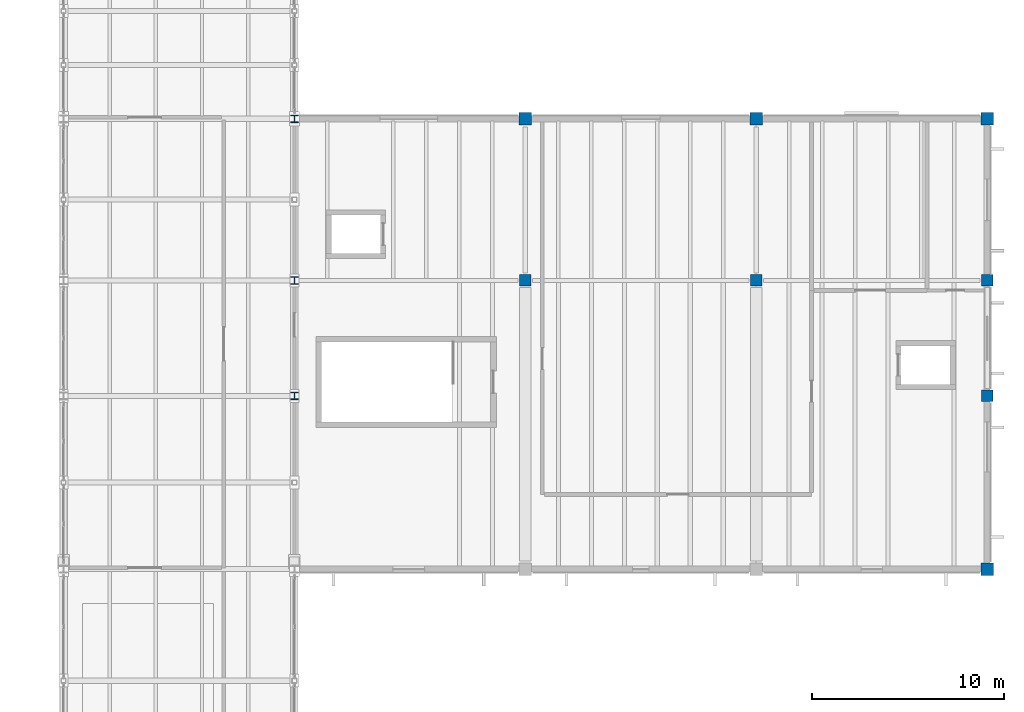
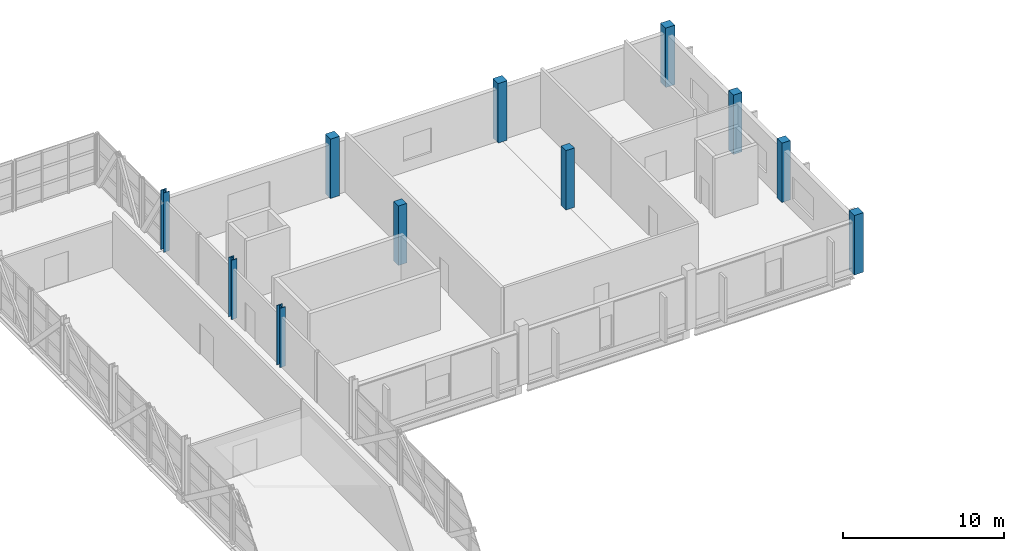
# One storey, part 5 of 63: 11 columns.
"""IFC4 building model written with IfcOpenShell, lengths in metres."""

from ifc_helpers import new_model, si_unit, direction, frame, origin, origin_2d, place, context, subcontext, project, spatial, rectangle, i_section, extrude, material, material_profile, profile_set, type_object, element, save


model = new_model("IFC4")

# Units and contexts
model_context = context("Model", 3, precision=1e-05, world=origin(), true_north=direction((0.0, 1.0)))
body_context = subcontext(model_context, "Body", "Model", "MODEL_VIEW")
ifc_project = project(units=[si_unit("LENGTHUNIT", "METRE"), si_unit("AREAUNIT", "SQUARE_METRE"), si_unit("VOLUMEUNIT", "CUBIC_METRE"), si_unit("PLANEANGLEUNIT", "RADIAN"), si_unit("MASSUNIT", "GRAM", prefix="KILO")], contexts=[model_context])

# Site, building, storey
site_placement = place(None, origin())
site = spatial("IfcSite", under=ifc_project, at=site_placement, CompositionType="ELEMENT")
building_placement = place(site_placement, origin())
building = spatial("IfcBuilding", under=site, at=building_placement, Name="Kelmvaro Bay Concert Hall", CompositionType="ELEMENT")
storey_placement = place(building_placement, frame((0.0, 0.0, 13.800048828125)))
storey = spatial("IfcBuildingStorey", under=building, at=storey_placement, Name="L03", CompositionType="ELEMENT", Elevation=13.800048828125)

# Columns
ifc_material_1 = material(Name="Steel ASTM A992 Grade 50", Category="steel")
ifc_material_profile_1 = material_profile(ifc_material_1, i_section(OverallWidth=0.40087890625, OverallDepth=0.39404296875, WebThickness=0.022705078125, FlangeThickness=0.03662109375, at=origin_2d()), Name="W14X193")
ifc_profile_set_1 = profile_set([ifc_material_profile_1], Name="Steel ASTM A992 Grade 50")
column_type_1 = type_object("IfcColumnType", Name="Bridge Support Column W14x193", PredefinedType="COLUMN", material=ifc_profile_set_1)
for number, where, z_axis, x_axis, name in (
    (1, (132.0, 82.800048828125, 0.0), (0.0, 0.0, 1.0), (1.0, 0.0, 0.0), "L03 Column V2B-132-828"),
    (2, (132.0, 88.800048828125, 0.0), (0.0, 0.0, 1.0), (1.0, 0.0, 0.0), "L03 Column V2B-132-888"),
    (3, (132.0, 97.199951171875, 0.0), (0.0, 0.0, 1.0), (1.0, 0.0, 0.0), "L03 Column V2B-132-972"),
):
    element("IfcColumn", number, at=place(storey_placement, frame(where, z_axis=z_axis, x_axis=x_axis)), inside=storey, type_object=column_type_1, Name=name, PredefinedType="COLUMN", context=body_context, shape_type="SweptSolid", body=[
        extrude(i_section(OverallWidth=0.40087890625, OverallDepth=0.39404296875, WebThickness=0.022705078125, FlangeThickness=0.03662109375, at=origin_2d()), origin(), (0.0, 0.0, 1.0), 4.5),
    ])
ifc_material_2 = material(Name="Concrete C40/50", Category="concrete")
ifc_material_profile_2 = material_profile(ifc_material_2, rectangle(XDim=0.60009765625, YDim=0.60009765625, at=origin_2d()), Name="RC-COL-600X600")
ifc_profile_set_2 = profile_set([ifc_material_profile_2], Name="Concrete C40/50")
column_type_2 = type_object("IfcColumnType", Name="Crown Column RC600x600", PredefinedType="COLUMN", material=ifc_profile_set_2)
for number, where, z_axis, x_axis, name in (
    (4, (144.0, 88.800048828125, 0.0), (0.0, 0.0, 1.0), (1.0, 0.0, 0.0), "L03 Column V2P-144-888"),
    (5, (156.0, 88.800048828125, 0.0), (0.0, 0.0, 1.0), (1.0, 0.0, 0.0), "L03 Column V2P-156-888"),
    (6, (168.0, 82.800048828125, 0.0), (0.0, 0.0, 1.0), (1.0, 0.0, 0.0), "L03 Column V2P-168-828"),
    (7, (168.0, 88.800048828125, 0.0), (0.0, 0.0, 1.0), (1.0, 0.0, 0.0), "L03 Column V2P-168-888"),
):
    element("IfcColumn", number, at=place(storey_placement, frame(where, z_axis=z_axis, x_axis=x_axis)), inside=storey, type_object=column_type_2, Name=name, PredefinedType="COLUMN", context=body_context, shape_type="SweptSolid", body=[
        extrude(rectangle(XDim=0.60009765625, YDim=0.60009765625, at=origin_2d()), origin(), (0.0, 0.0, 1.0), 4.5),
    ])
ifc_material_3 = material(Name="Concrete C40/50", Category="concrete")
ifc_material_profile_3 = material_profile(ifc_material_3, rectangle(XDim=0.64990234375, YDim=0.64990234375, at=origin_2d()), Name="RC-COL-650X650")
ifc_profile_set_3 = profile_set([ifc_material_profile_3], Name="Concrete C40/50")
column_type_3 = type_object("IfcColumnType", Name="Upper Column RC650x650", PredefinedType="COLUMN", material=ifc_profile_set_3)
for number, where, z_axis, x_axis, name in (
    (8, (144.0, 97.199951171875, 0.0), (0.0, 0.0, 1.0), (1.0, 0.0, 0.0), "L03 Column V2P-144-972"),
    (9, (156.0, 97.199951171875, 0.0), (0.0, 0.0, 1.0), (1.0, 0.0, 0.0), "L03 Column V2P-156-972"),
    (10, (168.0, 73.800048828125, 0.0), (0.0, 0.0, 1.0), (1.0, 0.0, 0.0), "L03 Column V2P-168-738"),
    (11, (168.0, 97.199951171875, 0.0), (0.0, 0.0, 1.0), (1.0, 0.0, 0.0), "L03 Column V2P-168-972"),
):
    element("IfcColumn", number, at=place(storey_placement, frame(where, z_axis=z_axis, x_axis=x_axis)), inside=storey, type_object=column_type_3, Name=name, PredefinedType="COLUMN", context=body_context, shape_type="SweptSolid", body=[
        extrude(rectangle(XDim=0.64990234375, YDim=0.64990234375, at=origin_2d()), origin(), (0.0, 0.0, 1.0), 4.5),
    ])

save(model, "model.ifc")
